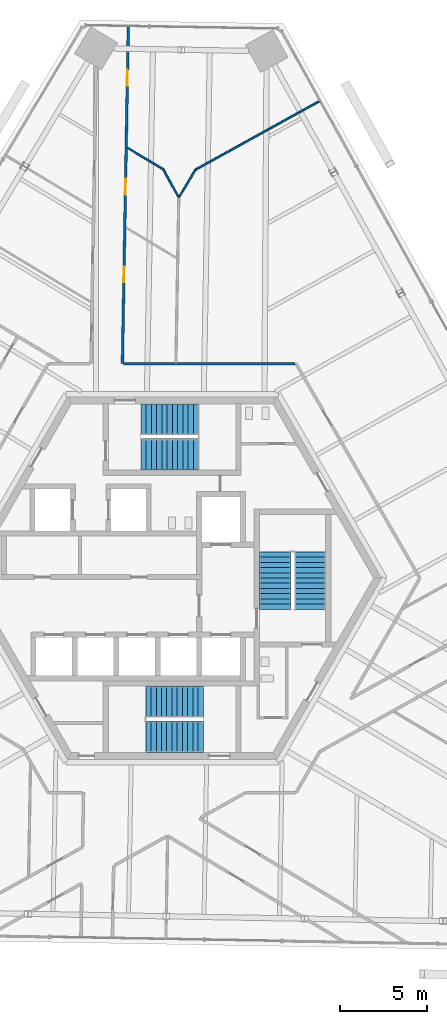
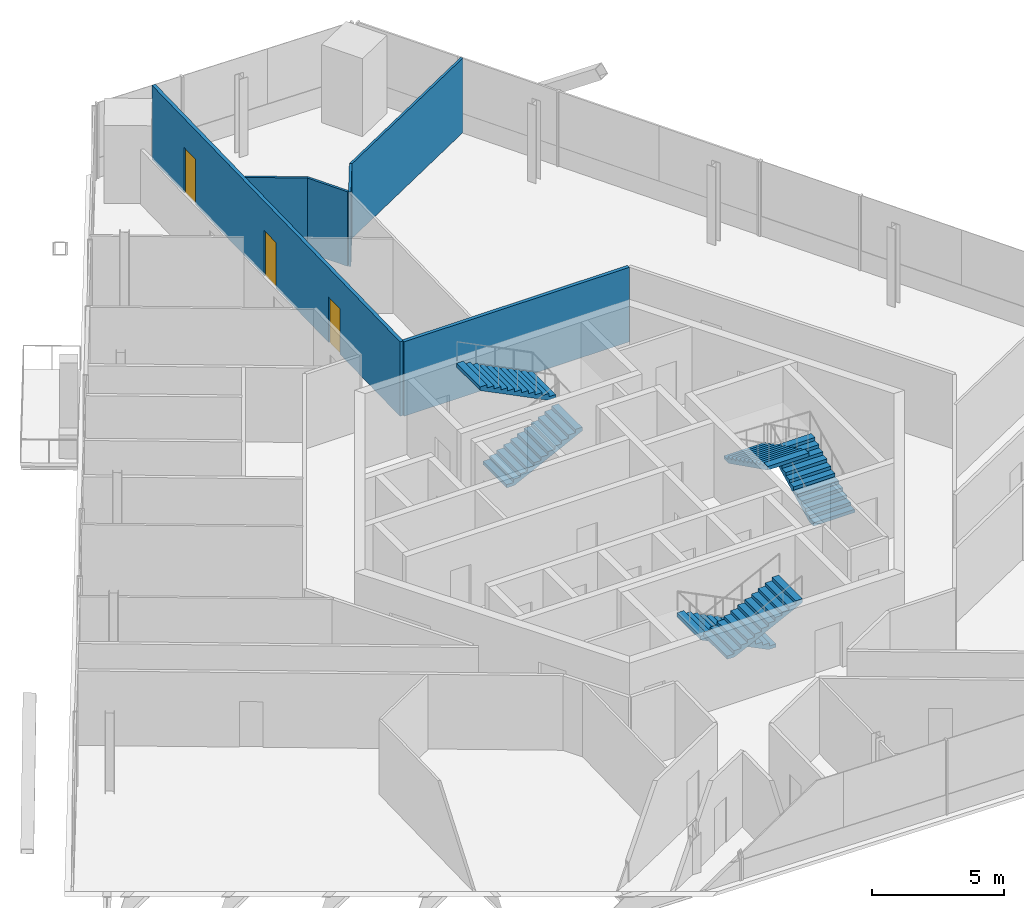
# One storey, part 15 of 19: 6 stair flights, 6 walls, 3 doors, 3 openings, 3 elements without a shape of their own.
"""IFC4 building model written with IfcOpenShell, lengths in metres."""

from ifc_helpers import new_model, si_unit, direction, frame, frame_2d, origin, place, context, subcontext, project, spatial, polyline, rectangle, outline, extrude, source, transform, mapped, material, layer, layer_set, type_object, element, fill, aggregate, save


model = new_model("IFC4")

# Units and contexts
model_context = context("Model", 3, precision=1e-05, world=origin(), true_north=direction((0.0, 1.0)))
body_context = subcontext(model_context, "Body", "Model", "MODEL_VIEW")
ifc_project = project(units=[si_unit("LENGTHUNIT", "METRE"), si_unit("AREAUNIT", "SQUARE_METRE"), si_unit("VOLUMEUNIT", "CUBIC_METRE"), si_unit("PLANEANGLEUNIT", "RADIAN"), si_unit("MASSUNIT", "GRAM", prefix="KILO")], contexts=[model_context])

# Site, building, storey
site_placement = place(None, origin())
site = spatial("IfcSite", under=ifc_project, at=site_placement, CompositionType="ELEMENT")
building_placement = place(site_placement, origin())
building = spatial("IfcBuilding", under=site, at=building_placement, Name="Triune Harvest Tower", CompositionType="ELEMENT")
storey_placement = place(building_placement, frame((0.0, 0.0, 183.5)))
storey = spatial("IfcBuildingStorey", under=building, at=storey_placement, Name="L47", CompositionType="ELEMENT", Elevation=183.5)

# Walls
ifc_material_1 = material(Name="Gypsum board on steel studs", Category="steel")
ifc_layer_1 = layer(ifc_material_1, 0.10009765625)
ifc_layer_set_1 = layer_set([ifc_layer_1], Name="Gypsum board on steel studs")
wall_type_1 = type_object("IfcWallType", Name="Partition 100 mm", PredefinedType="PARTITIONING", material=ifc_layer_set_1)
wall_1_placement = place(storey_placement, frame((-0.51123046875, 23.421875, 0.0), z_axis=(0.0, 0.0, 1.0), x_axis=(0.484775914915, -0.87463838946, 0.0)))
element("IfcWall", 1, at=wall_1_placement, inside=storey, type_object=wall_type_1, Name="Partition L47 001", PredefinedType="PARTITIONING", context=body_context, shape_type="SweptSolid", body=[
    extrude(rectangle(XDim=1.769775390625, YDim=0.10009765625, at=frame_2d((0.884765625, 0.0))), origin(), (0.0, 0.0, 1.0), 3.43994140625),
])
wall_2_placement = place(storey_placement, frame((-2.555908203125, 24.656005859375, 0.0), z_axis=(0.0, 0.0, 1.0), x_axis=(0.857203137084, -0.514978428454, 0.0)))
element("IfcWall", 2, at=wall_2_placement, inside=storey, type_object=wall_type_1, Name="Partition L47 026", PredefinedType="PARTITIONING", context=body_context, shape_type="SweptSolid", body=[
    extrude(rectangle(XDim=2.3798828125, YDim=0.10009765625, at=frame_2d((1.18994140625, 0.0))), origin(), (0.0, 0.0, 1.0), 3.43994140625),
])
wall_3_placement = place(storey_placement, frame((0.380615234375, 21.812744140625, 0.0), z_axis=(0.0, 0.0, 1.0), x_axis=(0.515097432487, 0.857131632275, 0.0)))
element("IfcWall", 3, at=wall_3_placement, inside=storey, type_object=wall_type_1, Name="Partition L47 044", PredefinedType="PARTITIONING", context=body_context, shape_type="SweptSolid", body=[
    extrude(rectangle(XDim=1.849365234375, YDim=0.10009765625, at=frame_2d((0.9248046875, 0.0))), origin(), (0.0, 0.0, 1.0), 3.43994140625),
])
ifc_material_2 = material(Name="Gypsum board on steel studs", Category="steel")
ifc_layer_2 = layer(ifc_material_2, 0.14990234375)
ifc_layer_set_2 = layer_set([ifc_layer_2], Name="Gypsum board on steel studs")
wall_type_2 = type_object("IfcWallType", Name="Fire Partition 150 mm", PredefinedType="PARTITIONING", material=ifc_layer_set_2)
shared_shape_1 = source(origin(), body_context, "Body", "SweptSolid", [
    extrude(rectangle(XDim=9.836669921875, YDim=0.14990234375, at=frame_2d((4.91845703125, 0.0))), origin(), (0.0, 0.0, 1.0), 3.43994140625),
])
wall_4_placement = place(storey_placement, frame((-2.78955078125, 12.292236328125, 0.0), z_axis=(0.0, 0.0, 1.0), x_axis=(1.0, 0.0, 0.0)))
element("IfcWall", 4, at=wall_4_placement, inside=storey, type_object=wall_type_2, Name="Partition L47 031", PredefinedType="PARTITIONING", context=body_context, shape_type="MappedRepresentation", body=[
    mapped(shared_shape_1, transform((0.0, 0.0, 0.0), scale=1.0)),
])
shared_shape_2 = source(origin(), body_context, "Body", "SweptSolid", [
    extrude(rectangle(XDim=8.16748046875, YDim=0.10009765625, at=frame_2d((4.083740234375, 0.0))), origin(), (0.0, 0.0, 1.0), 3.43994140625),
])
wall_5_placement = place(storey_placement, frame((1.333251953125, 23.39794921875, 0.0), z_axis=(0.0, 0.0, 1.0), x_axis=(0.874613731282, 0.484820400822, 0.0)))
element("IfcWall", 5, at=wall_5_placement, inside=storey, type_object=wall_type_1, Name="Partition L47 043", PredefinedType="PARTITIONING", context=body_context, shape_type="MappedRepresentation", body=[
    mapped(shared_shape_2, transform((0.0, 0.0, 0.0), scale=1.0)),
])

# Wall, openings, doors
shared_shape_3 = source(origin(), body_context, "Body", "SweptSolid", [
    extrude(rectangle(XDim=19.344482421875, YDim=0.14990234375, at=frame_2d((9.67236328125, 0.0))), origin(), (0.0, 0.0, 1.0), 3.43994140625),
])
wall_6_placement = place(storey_placement, frame((-2.849609375, 12.292236328125, 0.0), z_axis=(0.0, 0.0, 1.0), x_axis=(0.01746700904, 0.99984744016, 0.0)))
wall_6 = element("IfcWall", 6, at=wall_6_placement, inside=storey, type_object=wall_type_2, Name="Partition L47 053", PredefinedType="PARTITIONING", context=body_context, shape_type="MappedRepresentation", body=[
    mapped(shared_shape_3, transform((0.0, 0.0, 0.0), scale=1.0)),
])
opening_1_placement = place(wall_6_placement, frame((15.931884765625, 0.0, 0.0)))
opening_1 = element("IfcOpeningElement", 7, at=opening_1_placement, cuts=wall_6, Name="Opening L47-004", PredefinedType="OPENING", context=body_context, shape_type="SweptSolid", body=[
    extrude(rectangle(XDim=0.89990234375, YDim=2.10009765625, at=frame_2d((0.449951171875, 1.050048828125))), frame((0.0, 0.0849609375, 0.0), z_axis=(0.0, -1.0, 0.0), x_axis=(1.0, 0.0, 0.0)), (0.0, 0.0, 1.0), 0.169921875),
])
opening_2_placement = place(wall_6_placement, frame((9.685302734375, 0.0, 0.0)))
opening_2 = element("IfcOpeningElement", 8, at=opening_2_placement, cuts=wall_6, Name="Opening L47-006", PredefinedType="OPENING", context=body_context, shape_type="SweptSolid", body=[
    extrude(rectangle(XDim=0.89990234375, YDim=2.10009765625, at=frame_2d((0.449951171875, 1.050048828125))), frame((0.0, 0.0849609375, 0.0), z_axis=(0.0, -1.0, 0.0), x_axis=(1.0, 0.0, 0.0)), (0.0, 0.0, 1.0), 0.169921875),
])
opening_3_placement = place(wall_6_placement, frame((4.666015625, 0.0, 0.0)))
opening_3 = element("IfcOpeningElement", 9, at=opening_3_placement, cuts=wall_6, Name="Opening L47-009", PredefinedType="OPENING", context=body_context, shape_type="SweptSolid", body=[
    extrude(rectangle(XDim=0.89990234375, YDim=2.10009765625, at=frame_2d((0.449951171875, 1.050048828125))), frame((0.0, 0.0849609375, 0.0), z_axis=(0.0, -1.0, 0.0), x_axis=(1.0, 0.0, 0.0)), (0.0, 0.0, 1.0), 0.169921875),
])
ifc_material_3 = material(Name="Timber and steel door set", Category="steel")
door_type_1 = type_object("IfcDoorType", Name="Single leaf door FD30 left hand 900 x 2100", OperationType="SINGLE_SWING_LEFT", PredefinedType="DOOR", material=ifc_material_3)
door_1_placement = place(opening_1_placement, origin())
door_1 = element("IfcDoor", 10, at=door_1_placement, inside=storey, type_object=door_type_1, Name="Door L47-004 Reception 47.04", OperationType="SINGLE_SWING_LEFT", OverallHeight=2.10009765625, OverallWidth=0.89990234375, PredefinedType="DOOR", context=body_context, shape_type="SweptSolid", body=[
    extrude(rectangle(XDim=0.89990234375, YDim=2.10009765625, at=frame_2d((0.449951171875, 1.050048828125))), frame((0.0, 0.02490234375, 0.0), z_axis=(0.0, -1.0, 0.0), x_axis=(1.0, 0.0, 0.0)), (0.0, 0.0, 1.0), 0.050048828125),
])
fill(opening_1, door_1)
door_2_placement = place(opening_2_placement, origin())
door_2 = element("IfcDoor", 11, at=door_2_placement, inside=storey, type_object=door_type_1, Name="Door L47-006 Office 47.06", OperationType="SINGLE_SWING_LEFT", OverallHeight=2.10009765625, OverallWidth=0.89990234375, PredefinedType="DOOR", context=body_context, shape_type="SweptSolid", body=[
    extrude(rectangle(XDim=0.89990234375, YDim=2.10009765625, at=frame_2d((0.449951171875, 1.050048828125))), frame((0.0, 0.02490234375, 0.0), z_axis=(0.0, -1.0, 0.0), x_axis=(1.0, 0.0, 0.0)), (0.0, 0.0, 1.0), 0.050048828125),
])
fill(opening_2, door_2)
ifc_material_4 = material(Name="Timber and steel door set", Category="steel")
door_type_2 = type_object("IfcDoorType", Name="Single leaf door FD30 right hand 900 x 2100", OperationType="SINGLE_SWING_RIGHT", PredefinedType="DOOR", material=ifc_material_4)
door_3_placement = place(opening_3_placement, origin())
door_3 = element("IfcDoor", 12, at=door_3_placement, inside=storey, type_object=door_type_2, Name="Door L47-009 Office 47.09", OperationType="SINGLE_SWING_RIGHT", OverallHeight=2.10009765625, OverallWidth=0.89990234375, PredefinedType="DOOR", context=body_context, shape_type="SweptSolid", body=[
    extrude(rectangle(XDim=0.89990234375, YDim=2.10009765625, at=frame_2d((0.449951171875, 1.050048828125))), frame((0.0, 0.02490234375, 0.0), z_axis=(0.0, -1.0, 0.0), x_axis=(1.0, 0.0, 0.0)), (0.0, 0.0, 1.0), 0.050048828125),
])
fill(opening_3, door_3)

# Stair, stair flights
ifc_material_5 = material(Name="Concrete 40 MPa", Category="concrete")
stair_type = type_object("IfcStairType", Name="Exit stair 1800 half turn", PredefinedType="HALF_TURN_STAIR", material=ifc_material_5)
stair_1_placement = place(storey_placement, origin())
stair_1 = element("IfcStair", 13, at=stair_1_placement, inside=storey, type_object=stair_type, Name="Exit stair north", PredefinedType="HALF_TURN_STAIR")
ifc_material_6 = material(Name="Concrete 40 MPa", Category="concrete")
stair_flight_type = type_object("IfcStairFlightType", Name="Stair flight 1800", PredefinedType="STRAIGHT", material=ifc_material_6)
shared_shape_4 = source(origin(), body_context, "Body", "SweptSolid", [
    extrude(outline(polyline([(0.0, 0.0), (0.0, 0.14990234375), (0.300048828125, 0.14990234375), (0.300048828125, 0.300048828125), (0.60009765625, 0.300048828125), (0.60009765625, 0.449951171875), (0.89990234375, 0.449951171875), (0.89990234375, 0.60009765625), (1.199951171875, 0.60009765625), (1.199951171875, 0.75), (1.5, 0.75), (1.5, 0.89990234375), (1.800048828125, 0.89990234375), (1.800048828125, 1.050048828125), (2.10009765625, 1.050048828125), (2.10009765625, 1.199951171875), (2.39990234375, 1.199951171875), (2.39990234375, 1.35009765625), (2.699951171875, 1.35009765625), (2.699951171875, 1.5), (3.0, 1.5), (3.0, 1.64990234375), (3.300048828125, 1.64990234375), (3.300048828125, 1.800048828125), (3.300048828125, 1.482421875), (0.335205078125, 0.0), (0.0, 0.0)])), frame((0.0, 0.89990234375, 0.0), z_axis=(0.0, -1.0, 0.0), x_axis=(1.0, 0.0, 0.0)), (0.0, 0.0, 1.0), 1.800048828125),
])
stair_flight_1_placement = place(storey_placement, frame((-1.7900390625, 7.090087890625, 0.0), z_axis=(0.0, 0.0, 1.0), x_axis=(1.0, 0.0, 0.0)))
stair_flight_1 = element("IfcStairFlight", 14, at=stair_flight_1_placement, type_object=stair_flight_type, Name="ST-1 flight 1", NumberOfRisers=12, NumberOfTreads=11, PredefinedType="STRAIGHT", RiserHeight=0.15, TreadLength=0.3, context=body_context, shape_type="MappedRepresentation", body=[
    mapped(shared_shape_4, transform((0.0, 0.0, 0.0), scale=1.0)),
])
stair_flight_2_placement = place(storey_placement, frame((1.510009765625, 9.090087890625, 1.800048828125), z_axis=(0.0, 0.0, 1.0), x_axis=(-1.0, 0.0, 0.0)))
stair_flight_2 = element("IfcStairFlight", 15, at=stair_flight_2_placement, type_object=stair_flight_type, Name="ST-1 flight 2", NumberOfRisers=12, NumberOfTreads=11, PredefinedType="STRAIGHT", RiserHeight=0.15, TreadLength=0.3, context=body_context, shape_type="MappedRepresentation", body=[
    mapped(shared_shape_4, transform((0.0, 0.0, 0.0), scale=1.0)),
])
aggregate(stair_1, [stair_flight_1, stair_flight_2])

stair_2_placement = place(storey_placement, origin())
stair_2 = element("IfcStair", 16, at=stair_2_placement, inside=storey, type_object=stair_type, Name="Exit stair south", PredefinedType="HALF_TURN_STAIR")
stair_flight_3_placement = place(storey_placement, frame((1.7900390625, -7.090087890625, 0.0), z_axis=(0.0, 0.0, 1.0), x_axis=(-1.0, 0.0, 0.0)))
stair_flight_3 = element("IfcStairFlight", 17, at=stair_flight_3_placement, type_object=stair_flight_type, Name="ST-2 flight 1", NumberOfRisers=12, NumberOfTreads=11, PredefinedType="STRAIGHT", RiserHeight=0.15, TreadLength=0.3, context=body_context, shape_type="MappedRepresentation", body=[
    mapped(shared_shape_4, transform((0.0, 0.0, 0.0), scale=1.0)),
])
stair_flight_4_placement = place(storey_placement, frame((-1.510009765625, -9.090087890625, 1.800048828125), z_axis=(0.0, 0.0, 1.0), x_axis=(1.0, 0.0, 0.0)))
stair_flight_4 = element("IfcStairFlight", 18, at=stair_flight_4_placement, type_object=stair_flight_type, Name="ST-2 flight 2", NumberOfRisers=12, NumberOfTreads=11, PredefinedType="STRAIGHT", RiserHeight=0.15, TreadLength=0.3, context=body_context, shape_type="MappedRepresentation", body=[
    mapped(shared_shape_4, transform((0.0, 0.0, 0.0), scale=1.0)),
])
aggregate(stair_2, [stair_flight_3, stair_flight_4])

stair_3_placement = place(storey_placement, origin())
stair_3 = element("IfcStair", 19, at=stair_3_placement, inside=storey, type_object=stair_type, Name="Exit stair east", PredefinedType="HALF_TURN_STAIR")
stair_flight_5_placement = place(storey_placement, frame((7.89990234375, -1.7900390625, 0.0), z_axis=(0.0, 0.0, 1.0), x_axis=(0.0, 1.0, 0.0)))
stair_flight_5 = element("IfcStairFlight", 20, at=stair_flight_5_placement, type_object=stair_flight_type, Name="ST-3 flight 1", NumberOfRisers=12, NumberOfTreads=11, PredefinedType="STRAIGHT", RiserHeight=0.15, TreadLength=0.3, context=body_context, shape_type="MappedRepresentation", body=[
    mapped(shared_shape_4, transform((0.0, 0.0, 0.0), scale=1.0)),
])
stair_flight_6_placement = place(storey_placement, frame((5.89990234375, 1.510009765625, 1.800048828125), z_axis=(0.0, 0.0, 1.0), x_axis=(0.0, -1.0, 0.0)))
stair_flight_6 = element("IfcStairFlight", 21, at=stair_flight_6_placement, type_object=stair_flight_type, Name="ST-3 flight 2", NumberOfRisers=12, NumberOfTreads=11, PredefinedType="STRAIGHT", RiserHeight=0.15, TreadLength=0.3, context=body_context, shape_type="MappedRepresentation", body=[
    mapped(shared_shape_4, transform((0.0, 0.0, 0.0), scale=1.0)),
])
aggregate(stair_3, [stair_flight_5, stair_flight_6])

save(model, "model.ifc")
